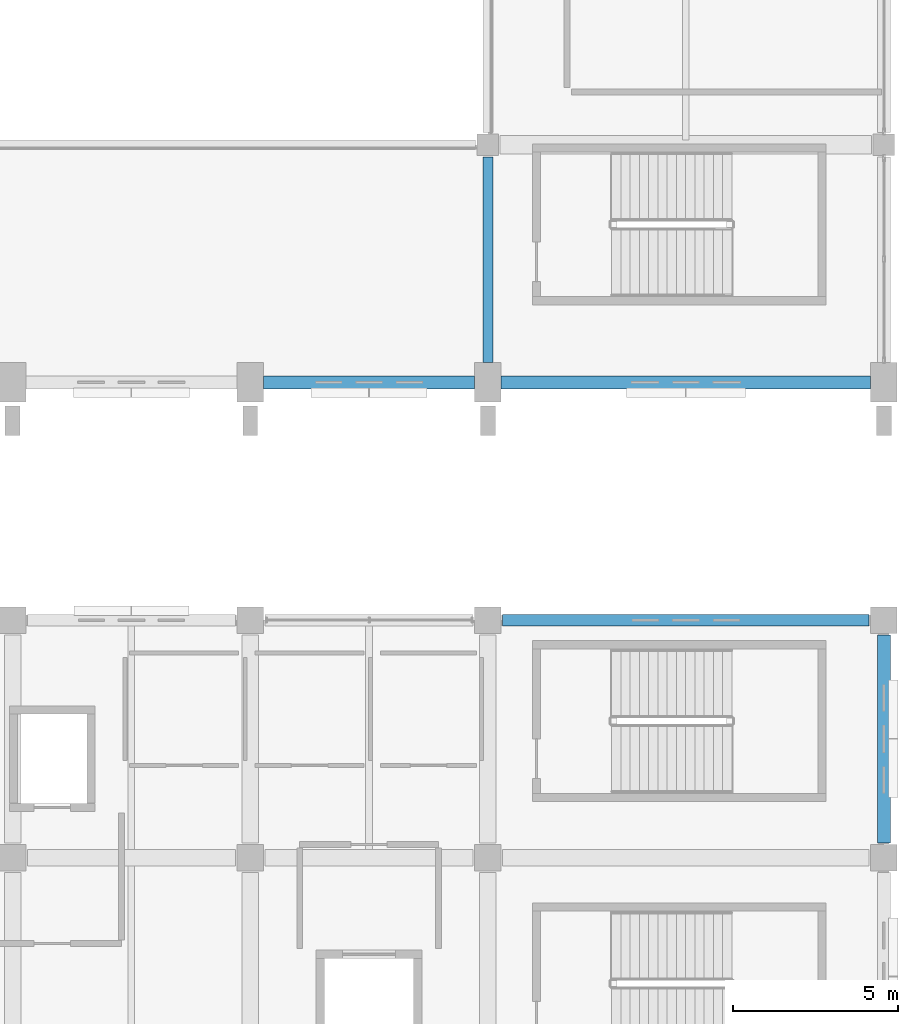
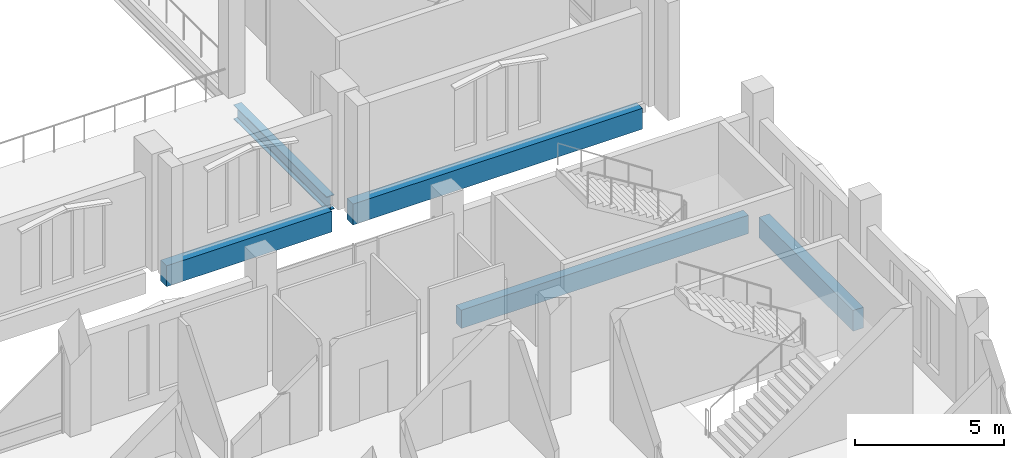
# One storey, part 100 of 220: 5 beams.
"""IFC4 building model written with IfcOpenShell, lengths in metres."""

from ifc_helpers import new_model, si_unit, direction, frame, origin, origin_2d, place, context, subcontext, project, spatial, rectangle, i_section, extrude, material, material_profile, profile_set, type_object, element, save


model = new_model("IFC4")

# Units and contexts
model_context = context("Model", 3, precision=1e-05, world=origin(), true_north=direction((0.0, 1.0)))
body_context = subcontext(model_context, "Body", "Model", "MODEL_VIEW")
ifc_project = project(units=[si_unit("LENGTHUNIT", "METRE"), si_unit("AREAUNIT", "SQUARE_METRE"), si_unit("VOLUMEUNIT", "CUBIC_METRE"), si_unit("PLANEANGLEUNIT", "RADIAN"), si_unit("MASSUNIT", "GRAM", prefix="KILO")], contexts=[model_context])

# Site, building, storey
site_placement = place(None, origin())
site = spatial("IfcSite", under=ifc_project, at=site_placement, CompositionType="ELEMENT")
building_placement = place(site_placement, origin())
building = spatial("IfcBuilding", under=site, at=building_placement, Name="Cendralis Lancet Convention Centre", CompositionType="ELEMENT")
storey_placement = place(building_placement, frame((0.0, 0.0, 5.39990234375)))
storey = spatial("IfcBuildingStorey", under=building, at=storey_placement, Name="L01", CompositionType="ELEMENT", Elevation=5.39990234375)

# Beams
ifc_material_1 = material(Name="Steel S355", Category="steel")
ifc_material_profile_1 = material_profile(ifc_material_1, i_section(OverallWidth=0.300048828125, OverallDepth=0.590087890625, WebThickness=0.012939453125, FlangeThickness=0.02490234375, FilletRadius=0.027099609375, at=origin_2d()), Name="HEA 600")
ifc_profile_set_1 = profile_set([ifc_material_profile_1], Name="Steel S355")
beam_type_1 = type_object("IfcBeamType", Name="STR-BM-SG10", PredefinedType="BEAM", material=ifc_profile_set_1)
beam_1_placement = place(storey_placement, frame((196.800048828125, 43.800048828125, -0.574951171875), z_axis=(0.0, 1.0, 0.0), x_axis=(-1.0, 0.0, 0.0)))
element("IfcBeam", 1, at=beam_1_placement, inside=storey, type_object=beam_type_1, Name="L01 Beam SG10 #1432", PredefinedType="BEAM", context=body_context, shape_type="SweptSolid", body=[
    extrude(i_section(OverallWidth=0.300048828125, OverallDepth=0.590087890625, WebThickness=0.012939453125, FlangeThickness=0.02490234375, FilletRadius=0.027099609375, at=origin_2d()), origin(), (0.0, 0.0, 1.0), 6.224853515625),
])
ifc_material_2 = material(Name="Concrete G40 (C40/50)", Category="concrete")
ifc_material_profile_2 = material_profile(ifc_material_2, rectangle(XDim=0.35009765625, YDim=0.75, at=origin_2d()), Name="RCB 350x750")
ifc_profile_set_2 = profile_set([ifc_material_profile_2], Name="Concrete G40 (C40/50)")
beam_type_2 = type_object("IfcBeamType", Name="STR-SP-SP01", PredefinedType="SPANDREL", material=ifc_profile_set_2)
beam_2_placement = place(storey_placement, frame((197.25, 36.0, -0.65478515625), z_axis=(1.0, 0.0, 0.0), x_axis=(0.0, 1.0, 0.0)))
element("IfcBeam", 2, at=beam_2_placement, inside=storey, type_object=beam_type_2, Name="L01 Beam SP01 #0176", PredefinedType="SPANDREL", context=body_context, shape_type="SweptSolid", body=[
    extrude(rectangle(XDim=0.35009765625, YDim=0.75, at=origin_2d()), origin(), (0.0, 0.0, 1.0), 11.10009765625),
])
ifc_material_profile_3 = material_profile(ifc_material_2, rectangle(XDim=0.39990234375, YDim=0.85009765625, at=origin_2d()), Name="RCB 400x850")
ifc_profile_set_3 = profile_set([ifc_material_profile_3], Name="Concrete G40 (C40/50)")
beam_type_3 = type_object("IfcBeamType", Name="STR-SP-SP02", PredefinedType="SPANDREL", material=ifc_profile_set_3)
beam_3_placement = place(storey_placement, frame((208.800048828125, 29.25, -0.704833984375), z_axis=(0.0, 1.0, 0.0), x_axis=(-1.0, 0.0, 0.0)))
element("IfcBeam", 3, at=beam_3_placement, inside=storey, type_object=beam_type_3, Name="L01 Beam SP02 #0218", PredefinedType="SPANDREL", context=body_context, shape_type="SweptSolid", body=[
    extrude(rectangle(XDim=0.39990234375, YDim=0.85009765625, at=origin_2d()), origin(), (0.0, 0.0, 1.0), 6.300048828125),
])
beam_4_placement = place(storey_placement, frame((190.0, 43.199951171875, -0.704833984375), z_axis=(1.0, 0.0, 0.0), x_axis=(0.0, 1.0, 0.0)))
element("IfcBeam", 4, at=beam_4_placement, inside=storey, type_object=beam_type_3, Name="L01 Beam SP02 #1401", PredefinedType="SPANDREL", context=body_context, shape_type="SweptSolid", body=[
    extrude(rectangle(XDim=0.39990234375, YDim=0.85009765625, at=origin_2d()), origin(), (0.0, 0.0, 1.0), 6.39990234375),
])
beam_5_placement = place(storey_placement, frame((197.199951171875, 43.199951171875, -0.704833984375), z_axis=(1.0, 0.0, 0.0), x_axis=(0.0, 1.0, 0.0)))
element("IfcBeam", 5, at=beam_5_placement, inside=storey, type_object=beam_type_3, Name="L01 Beam SP02 #1402", PredefinedType="SPANDREL", context=body_context, shape_type="SweptSolid", body=[
    extrude(rectangle(XDim=0.39990234375, YDim=0.85009765625, at=origin_2d()), origin(), (0.0, 0.0, 1.0), 11.199951171875),
])

save(model, "model.ifc")
